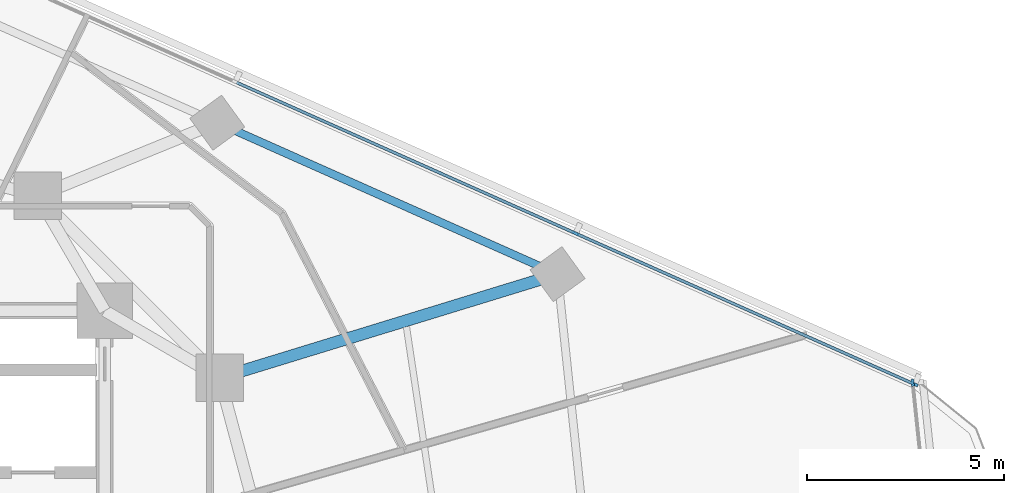
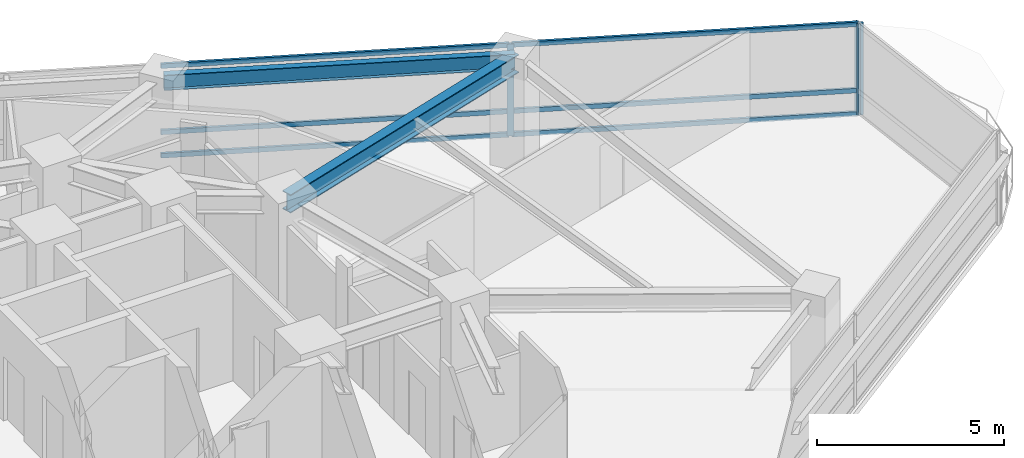
# One storey, part 6 of 14: 9 members, 2 beams, 2 elements without a shape of their own.
"""IFC4 building model written with IfcOpenShell, lengths in metres."""

from ifc_helpers import new_model, si_unit, direction, frame, origin, origin_2d, place, context, subcontext, project, spatial, rectangle, i_section, extrude, material, layer, layer_set, material_profile, profile_set, type_object, element, aggregate, save


model = new_model("IFC4")

# Units and contexts
model_context = context("Model", 3, precision=1e-05, world=origin(), true_north=direction((0.0, 1.0)))
body_context = subcontext(model_context, "Body", "Model", "MODEL_VIEW")
ifc_project = project(units=[si_unit("LENGTHUNIT", "METRE"), si_unit("AREAUNIT", "SQUARE_METRE"), si_unit("VOLUMEUNIT", "CUBIC_METRE"), si_unit("PLANEANGLEUNIT", "RADIAN"), si_unit("MASSUNIT", "GRAM", prefix="KILO")], contexts=[model_context])

# Site, building, storey
site_placement = place(None, origin())
site = spatial("IfcSite", under=ifc_project, at=site_placement, CompositionType="ELEMENT")
building_placement = place(site_placement, origin())
building = spatial("IfcBuilding", under=site, at=building_placement, Name="Terralouvre Media Tower", CompositionType="ELEMENT")
storey_placement = place(building_placement, frame((0.0, 0.0, 154.60009765625)))
storey = spatial("IfcBuildingStorey", under=building, at=storey_placement, Name="L39", CompositionType="ELEMENT", Elevation=154.60009765625)

# Curtain wall, members
ifc_material_1 = material(Name="Low-iron laminated double glazing with solar-control coating", Category="glass")
ifc_layer_1 = layer(ifc_material_1, 0.1650390625, Name="Production Studio Tower Curtain Wall CW-03")
ifc_layer_set_1 = layer_set([ifc_layer_1], Name="Low-iron laminated double glazing with solar-control coating")
curtain_wall_type_1 = type_object("IfcCurtainWallType", Name="Production Studio Tower Curtain Wall CW-03", PredefinedType="NOTDEFINED", material=ifc_layer_set_1)
curtain_wall_1_placement = place(storey_placement, origin())
curtain_wall_1 = element("IfcCurtainWall", 1, at=curtain_wall_1_placement, inside=storey, type_object=curtain_wall_type_1, Name="L39 Facade Curtain Wall F1", PredefinedType="NOTDEFINED")
ifc_material_2 = material(Name="Anodised extruded aluminium 6063-T6", Category="aluminium")
ifc_material_profile_1 = material_profile(ifc_material_2, rectangle(XDim=0.074951171875, YDim=0.14990234375, at=origin_2d()), Name="ALU 75x150")
ifc_profile_set_1 = profile_set([ifc_material_profile_1], Name="Anodised extruded aluminium 6063-T6")
member_type_1 = type_object("IfcMemberType", Name="Curtain-Wall Horizontal Transom TR-150", PredefinedType="USERDEFINED", material=ifc_profile_set_1)
member_1_placement = place(storey_placement, frame((28.4892578125, 6.1494140625, 0.037353515625), z_axis=(-0.913539345669, 0.406750370515, 0.0), x_axis=(-0.406750370515, -0.913539345669, 0.0)))
member_1 = element("IfcMember", 2, at=member_1_placement, type_object=member_type_1, Name="CW-03 transom 1.1", ObjectType="TRANSOM", PredefinedType="USERDEFINED", context=body_context, shape_type="SweptSolid", body=[
    extrude(rectangle(XDim=0.074951171875, YDim=0.14990234375, at=origin_2d()), origin(), (0.0, 0.0, 1.0), 9.327392578125),
])
member_2_placement = place(storey_placement, frame((28.4892578125, 6.1494140625, 0.7998046875), z_axis=(-0.913539345669, 0.406750370515, 0.0), x_axis=(-0.406750370515, -0.913539345669, 0.0)))
member_2 = element("IfcMember", 3, at=member_2_placement, type_object=member_type_1, Name="CW-03 transom 1.2", ObjectType="TRANSOM", PredefinedType="USERDEFINED", context=body_context, shape_type="SweptSolid", body=[
    extrude(rectangle(XDim=0.074951171875, YDim=0.14990234375, at=origin_2d()), origin(), (0.0, 0.0, 1.0), 9.327392578125),
])
member_3_placement = place(storey_placement, frame((28.4892578125, 6.1494140625, 2.96240234375), z_axis=(-0.913539345669, 0.406750370515, 0.0), x_axis=(-0.406750370515, -0.913539345669, 0.0)))
member_3 = element("IfcMember", 4, at=member_3_placement, type_object=member_type_1, Name="CW-03 transom 1.3", ObjectType="TRANSOM", PredefinedType="USERDEFINED", context=body_context, shape_type="SweptSolid", body=[
    extrude(rectangle(XDim=0.074951171875, YDim=0.14990234375, at=origin_2d()), origin(), (0.0, 0.0, 1.0), 9.327392578125),
])
member_4_placement = place(storey_placement, frame((19.899658203125, 9.973876953125, 0.037353515625), z_axis=(-0.913546899195, 0.40673340528, 0.0), x_axis=(-0.40673340528, -0.913546899195, 0.0)))
member_4 = element("IfcMember", 5, at=member_4_placement, type_object=member_type_1, Name="CW-03 transom 2.1", ObjectType="TRANSOM", PredefinedType="USERDEFINED", context=body_context, shape_type="SweptSolid", body=[
    extrude(rectangle(XDim=0.074951171875, YDim=0.14990234375, at=origin_2d()), origin(), (0.0, 0.0, 1.0), 9.364990234375),
])
member_5_placement = place(storey_placement, frame((19.899658203125, 9.973876953125, 0.7998046875), z_axis=(-0.913546899195, 0.40673340528, 0.0), x_axis=(-0.40673340528, -0.913546899195, 0.0)))
member_5 = element("IfcMember", 6, at=member_5_placement, type_object=member_type_1, Name="CW-03 transom 2.2", ObjectType="TRANSOM", PredefinedType="USERDEFINED", context=body_context, shape_type="SweptSolid", body=[
    extrude(rectangle(XDim=0.074951171875, YDim=0.14990234375, at=origin_2d()), origin(), (0.0, 0.0, 1.0), 9.364990234375),
])
member_6_placement = place(storey_placement, frame((19.899658203125, 9.973876953125, 2.96240234375), z_axis=(-0.913546899195, 0.40673340528, 0.0), x_axis=(-0.40673340528, -0.913546899195, 0.0)))
member_6 = element("IfcMember", 7, at=member_6_placement, type_object=member_type_1, Name="CW-03 transom 2.3", ObjectType="TRANSOM", PredefinedType="USERDEFINED", context=body_context, shape_type="SweptSolid", body=[
    extrude(rectangle(XDim=0.074951171875, YDim=0.14990234375, at=origin_2d()), origin(), (0.0, 0.0, 1.0), 9.364990234375),
])
ifc_material_3 = material(Name="Anodised extruded aluminium 6063-T6", Category="aluminium")
ifc_material_profile_2 = material_profile(ifc_material_3, rectangle(XDim=0.074951171875, YDim=0.179931640625, at=origin_2d()), Name="ALU 75x180")
ifc_profile_set_2 = profile_set([ifc_material_profile_2], Name="Anodised extruded aluminium 6063-T6")
member_type_2 = type_object("IfcMemberType", Name="Curtain-Wall Vertical Mullion ML-180", PredefinedType="MULLION", material=ifc_profile_set_2)
member_7_placement = place(storey_placement, frame((28.5234375, 6.13427734375, 0.0), z_axis=(0.0, 0.0, 1.0), x_axis=(-0.406736616337, -0.913545469547, 0.0)))
member_7 = element("IfcMember", 8, at=member_7_placement, type_object=member_type_2, Name="CW-03 mullion 1", PredefinedType="MULLION", context=body_context, shape_type="SweptSolid", body=[
    extrude(rectangle(XDim=0.074951171875, YDim=0.179931640625, at=origin_2d()), origin(), (0.0, 0.0, 1.0), 3.0),
])
member_8_placement = place(storey_placement, frame((19.933837890625, 9.95849609375, 0.0), z_axis=(0.0, 0.0, 1.0), x_axis=(-0.406736616337, -0.913545469547, 0.0)))
member_8 = element("IfcMember", 9, at=member_8_placement, type_object=member_type_2, Name="CW-03 mullion 2", PredefinedType="MULLION", context=body_context, shape_type="SweptSolid", body=[
    extrude(rectangle(XDim=0.074951171875, YDim=0.179931640625, at=origin_2d()), origin(), (0.0, 0.0, 1.0), 3.0),
])
aggregate(curtain_wall_1, [member_7, member_8, member_1, member_2, member_3, member_4, member_5, member_6])

# Curtain wall, member
ifc_material_4 = material(Name="Low-iron laminated double glazing with solar-control coating", Category="glass")
ifc_layer_2 = layer(ifc_material_4, 0.1650390625, Name="Rounded Wind-Corner Curved Glazing CW-04")
ifc_layer_set_2 = layer_set([ifc_layer_2], Name="Low-iron laminated double glazing with solar-control coating")
curtain_wall_type_2 = type_object("IfcCurtainWallType", Name="Rounded Wind-Corner Curved Glazing CW-04", PredefinedType="NOTDEFINED", material=ifc_layer_set_2)
curtain_wall_2_placement = place(storey_placement, origin())
curtain_wall_2 = element("IfcCurtainWall", 10, at=curtain_wall_2_placement, inside=storey, type_object=curtain_wall_type_2, Name="L39 Rounded Wind-Corner Curtain Wall C1", PredefinedType="NOTDEFINED")
member_9_placement = place(storey_placement, frame((28.47119140625, 6.1767578125, 0.0), z_axis=(0.0, 0.0, 1.0), x_axis=(-0.994521891172, -0.10452850319, 0.0)))
member_9 = element("IfcMember", 11, at=member_9_placement, type_object=member_type_2, Name="CW-04 mullion 2", PredefinedType="MULLION", context=body_context, shape_type="SweptSolid", body=[
    extrude(rectangle(XDim=0.074951171875, YDim=0.179931640625, at=origin_2d()), origin(), (0.0, 0.0, 1.0), 3.0),
])
aggregate(curtain_wall_2, [member_9])

# Beams
ifc_material_5 = material(Name="Structural steel S355J2", Category="steel")
ifc_material_profile_3 = material_profile(ifc_material_5, i_section(OverallWidth=0.199951171875, OverallDepth=0.5, WebThickness=0.01025390625, FlangeThickness=0.01611328125, at=origin_2d()), Name="IPE 500")
ifc_profile_set_3 = profile_set([ifc_material_profile_3], Name="Structural steel S355J2")
beam_type_1 = type_object("IfcBeamType", Name="Perimeter Spandrel Beam SPB-500 (IPE 500)", PredefinedType="SPANDREL", material=ifc_profile_set_3)
beam_1_placement = place(storey_placement, frame((19.474365234375, 8.92626953125, 3.25), z_axis=(-0.913547937667, 0.406731072803, 0.0), x_axis=(-0.406731072803, -0.913547937667, 0.0)))
element("IfcBeam", 12, at=beam_1_placement, inside=storey, type_object=beam_type_1, Name="L39 Framing Beam BM-L39-PR07", PredefinedType="SPANDREL", context=body_context, shape_type="SweptSolid", body=[
    extrude(i_section(OverallWidth=0.199951171875, OverallDepth=0.5, WebThickness=0.01025390625, FlangeThickness=0.01611328125, at=origin_2d()), origin(), (0.0, 0.0, 1.0), 9.440185546875),
])
ifc_material_6 = material(Name="Structural steel S460M", Category="steel")
ifc_material_profile_4 = material_profile(ifc_material_6, i_section(OverallWidth=0.300048828125, OverallDepth=0.60009765625, WebThickness=0.015380859375, FlangeThickness=0.030029296875, at=origin_2d()), Name="HEB 600")
ifc_profile_set_4 = profile_set([ifc_material_profile_4], Name="Structural steel S460M")
beam_type_2 = type_object("IfcBeamType", Name="Primary Floor Girder B-HEB600 (HEB 600)", PredefinedType="BEAM", material=ifc_profile_set_4)
beam_2_placement = place(storey_placement, frame((10.911865234375, 6.300048828125, 3.199951171875), z_axis=(0.956042083717, 0.293229490606, 0.0), x_axis=(-0.293229490606, 0.956042083717, 0.0)))
element("IfcBeam", 13, at=beam_2_placement, inside=storey, type_object=beam_type_2, Name="L39 Framing Beam BM-L39-RD07", PredefinedType="BEAM", context=body_context, shape_type="SweptSolid", body=[
    extrude(i_section(OverallWidth=0.300048828125, OverallDepth=0.60009765625, WebThickness=0.015380859375, FlangeThickness=0.030029296875, at=origin_2d()), origin(), (0.0, 0.0, 1.0), 8.956298828125),
])

save(model, "model.ifc")
